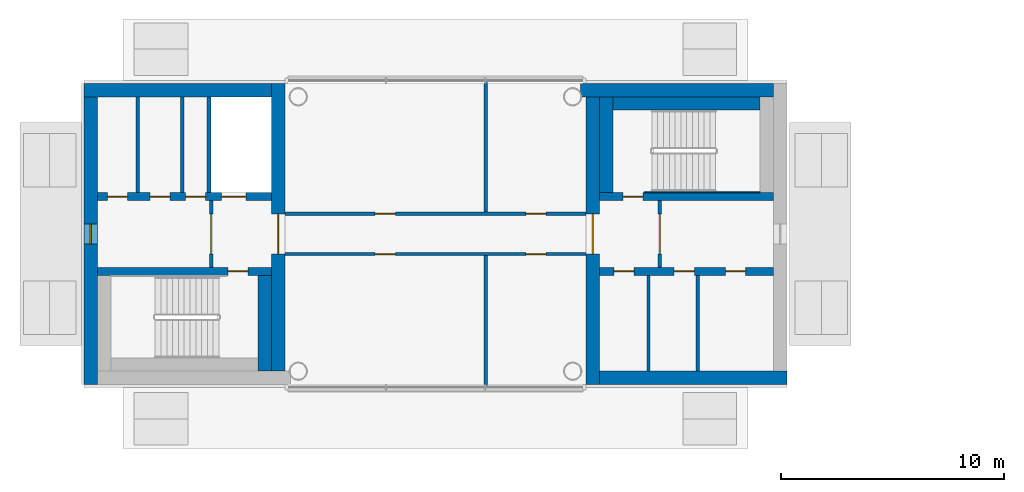
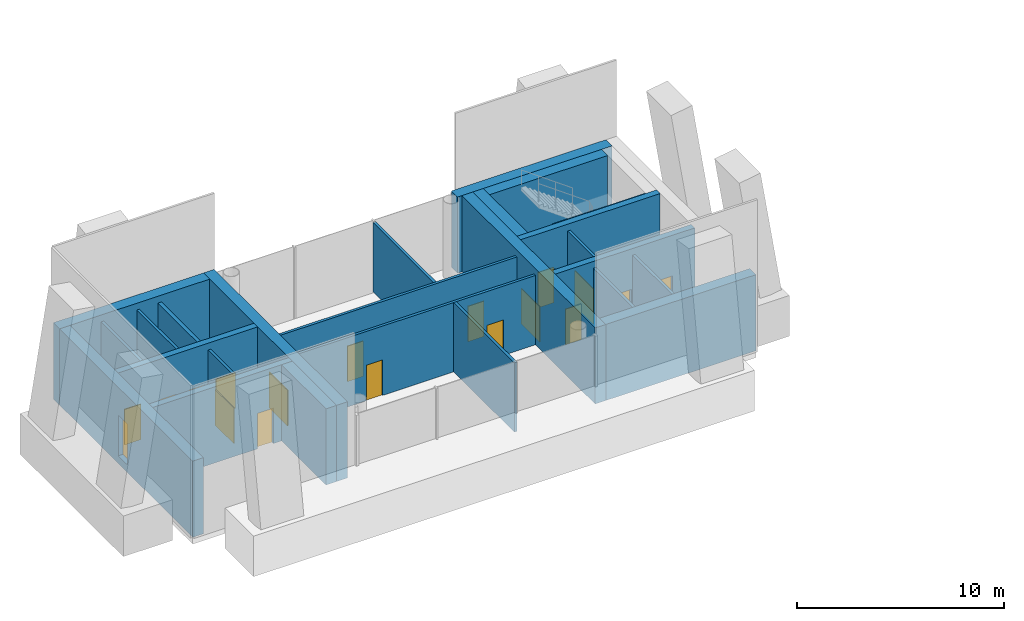
# One storey, part 5 of 12: 25 walls, 17 doors, 1 window, 18 openings.
"""IFC4 building model written with IfcOpenShell, lengths in metres."""

from ifc_helpers import new_model, si_unit, direction, frame, frame_2d, origin, place, context, subcontext, project, spatial, rectangle, extrude, material, layer, layer_set, type_object, element, fill, save


model = new_model("IFC4")

# Units and contexts
model_context = context("Model", 3, precision=1e-05, world=origin(), true_north=direction((0.0, 1.0)))
body_context = subcontext(model_context, "Body", "Model", "MODEL_VIEW")
ifc_project = project(units=[si_unit("LENGTHUNIT", "METRE"), si_unit("AREAUNIT", "SQUARE_METRE"), si_unit("VOLUMEUNIT", "CUBIC_METRE"), si_unit("PLANEANGLEUNIT", "RADIAN"), si_unit("MASSUNIT", "GRAM", prefix="KILO")], contexts=[model_context])

# Site, building, storey
site_placement = place(None, origin())
site = spatial("IfcSite", under=ifc_project, at=site_placement, CompositionType="ELEMENT")
building_placement = place(site_placement, origin())
building = spatial("IfcBuilding", under=site, at=building_placement, Name="Ipe Terrace Towers", CompositionType="ELEMENT")
storey_placement = place(building_placement, frame((0.0, 0.0, 255.89990234375)))
storey = spatial("IfcBuildingStorey", under=building, at=storey_placement, Name="L70", CompositionType="ELEMENT", Elevation=255.89990234375)

# Wall, opening, door
ifc_material_1 = material(Name="Gypsum board partition", Category="plasterboard")
ifc_layer_1 = layer(ifc_material_1, 0.14990234375)
ifc_layer_set_1 = layer_set([ifc_layer_1], Name="Gypsum board partition 150 mm")
wall_type_1 = type_object("IfcWallType", Name="Gypsum board partition 150 mm", PredefinedType="PARTITIONING", material=ifc_layer_set_1)
wall_1_placement = place(storey_placement, frame((-25.949951171875, -1.5, 0.0), z_axis=(0.0, 0.0, 1.0), x_axis=(0.0, 1.0, 0.0)))
wall_1 = element("IfcWall", 1, at=wall_1_placement, inside=storey, type_object=wall_type_1, Name="Gypsum board partition T1 L70 t1c1-lobby-wall", PredefinedType="PARTITIONING", context=body_context, shape_type="SweptSolid", body=[
    extrude(rectangle(XDim=3.0, YDim=0.14990234375, at=frame_2d((1.5, 0.0))), origin(), (0.0, 0.0, 1.0), 4.10009765625),
])
opening_1_placement = place(wall_1_placement, frame((0.60009765625, 0.0, 0.0)))
opening_1 = element("IfcOpeningElement", 2, at=opening_1_placement, cuts=wall_1, Name="Opening T1C1-VD", PredefinedType="OPENING", context=body_context, shape_type="SweptSolid", body=[
    extrude(rectangle(XDim=1.800048828125, YDim=2.10009765625, at=frame_2d((0.89990234375, 1.050048828125))), frame((0.0, 0.0849609375, 0.0), z_axis=(0.0, -1.0, 0.0), x_axis=(1.0, 0.0, 0.0)), (0.0, 0.0, 1.0), 0.169921875),
])
ifc_material_2 = material(Name="Fire-rated timber door leaf", Category="wood")
door_type_1 = type_object("IfcDoorType", Name="Lobby door 1800 x 2100 FD60", OperationType="NOTDEFINED", PredefinedType="DOOR", material=ifc_material_2)
door_1_placement = place(opening_1_placement, origin())
door_1 = element("IfcDoor", 3, at=door_1_placement, inside=storey, type_object=door_type_1, Name="Lobby door T1C1-VD", OperationType="SINGLE_SWING_LEFT", OverallHeight=2.10009765625, OverallWidth=1.800048828125, PredefinedType="DOOR", context=body_context, shape_type="SweptSolid", body=[
    extrude(rectangle(XDim=1.800048828125, YDim=2.10009765625, at=frame_2d((0.89990234375, 1.050048828125))), frame((0.0, 0.02490234375, 0.0), z_axis=(0.0, -1.0, 0.0), x_axis=(1.0, 0.0, 0.0)), (0.0, 0.0, 1.0), 0.050048828125),
])
fill(opening_1, door_1)

# Walls
for number, where, z_axis, x_axis, name in (
    (4, (-26.449951171875, -6.14990234375, 0.0), (0.0, 0.0, 1.0), (0.0, 1.0, 0.0), "Gypsum board partition T1 L70 t1c1-p2-div"),
    (5, (-24.25, -6.14990234375, 0.0), (0.0, 0.0, 1.0), (0.0, 1.0, 0.0), "Gypsum board partition T1 L70 t1c1-p3-div"),
):
    element("IfcWall", number, at=place(storey_placement, frame(where, z_axis=z_axis, x_axis=x_axis)), inside=storey, type_object=wall_type_1, Name=name, PredefinedType="PARTITIONING", context=body_context, shape_type="SweptSolid", body=[
        extrude(rectangle(XDim=4.2998046875, YDim=0.14990234375, at=frame_2d((2.14990234375, 0.0))), origin(), (0.0, 0.0, 1.0), 4.10009765625),
    ])

# Wall, opening, door
wall_2_placement = place(storey_placement, frame((-46.050048828125, 1.5, 0.0), z_axis=(0.0, 0.0, 1.0), x_axis=(0.0, -1.0, 0.0)))
wall_2 = element("IfcWall", 6, at=wall_2_placement, inside=storey, type_object=wall_type_1, Name="Gypsum board partition T1 L70 t1c2-lobby-wall", PredefinedType="PARTITIONING", context=body_context, shape_type="SweptSolid", body=[
    extrude(rectangle(XDim=3.0, YDim=0.14990234375, at=frame_2d((1.5, 0.0))), origin(), (0.0, 0.0, 1.0), 4.10009765625),
])
opening_2_placement = place(wall_2_placement, frame((0.60009765625, 0.0, 0.0)))
opening_2 = element("IfcOpeningElement", 7, at=opening_2_placement, cuts=wall_2, Name="Opening T1C2-VD", PredefinedType="OPENING", context=body_context, shape_type="SweptSolid", body=[
    extrude(rectangle(XDim=1.800048828125, YDim=2.10009765625, at=frame_2d((0.89990234375, 1.050048828125))), frame((0.0, 0.0849609375, 0.0), z_axis=(0.0, -1.0, 0.0), x_axis=(1.0, 0.0, 0.0)), (0.0, 0.0, 1.0), 0.169921875),
])
door_2_placement = place(opening_2_placement, origin())
door_2 = element("IfcDoor", 8, at=door_2_placement, inside=storey, type_object=door_type_1, Name="Lobby door T1C2-VD", OperationType="SINGLE_SWING_LEFT", OverallHeight=2.10009765625, OverallWidth=1.800048828125, PredefinedType="DOOR", context=body_context, shape_type="SweptSolid", body=[
    extrude(rectangle(XDim=1.800048828125, YDim=2.10009765625, at=frame_2d((0.89990234375, 1.050048828125))), frame((0.0, 0.02490234375, 0.0), z_axis=(0.0, -1.0, 0.0), x_axis=(1.0, 0.0, 0.0)), (0.0, 0.0, 1.0), 0.050048828125),
])
fill(opening_2, door_2)

# Walls
for number, where, z_axis, x_axis, name in (
    (9, (-47.35009765625, 6.14990234375, 0.0), (0.0, 0.0, 1.0), (0.0, -1.0, 0.0), "Gypsum board partition T1 L70 t1c2-q2-div"),
    (10, (-49.35009765625, 6.14990234375, 0.0), (0.0, 0.0, 1.0), (0.0, -1.0, 0.0), "Gypsum board partition T1 L70 t1c2-q3-div"),
):
    element("IfcWall", number, at=place(storey_placement, frame(where, z_axis=z_axis, x_axis=x_axis)), inside=storey, type_object=wall_type_1, Name=name, PredefinedType="PARTITIONING", context=body_context, shape_type="SweptSolid", body=[
        extrude(rectangle(XDim=4.2998046875, YDim=0.14990234375, at=frame_2d((2.14990234375, 0.0))), origin(), (0.0, 0.0, 1.0), 4.10009765625),
    ])

# Wall, openings, doors
wall_3_placement = place(storey_placement, frame((-42.75, 0.89990234375, 0.0), z_axis=(0.0, 0.0, 1.0), x_axis=(1.0, 0.0, 0.0)))
wall_3 = element("IfcWall", 11, at=wall_3_placement, inside=storey, type_object=wall_type_1, Name="Gypsum board partition T1 L70 sp-hub-wp", PredefinedType="PARTITIONING", context=body_context, shape_type="SweptSolid", body=[
    extrude(rectangle(XDim=13.5, YDim=0.14990234375, at=frame_2d((6.75, 0.0))), origin(), (0.0, 0.0, 1.0), 4.10009765625),
])
opening_3_placement = place(wall_3_placement, frame((4.050048828125, 0.0, 0.0)))
opening_3 = element("IfcOpeningElement", 12, at=opening_3_placement, cuts=wall_3, Name="Opening T1-SP-HP1", PredefinedType="OPENING", context=body_context, shape_type="SweptSolid", body=[
    extrude(rectangle(XDim=0.89990234375, YDim=2.10009765625, at=frame_2d((0.449951171875, 1.050048828125))), frame((0.0, 0.0849609375, 0.0), z_axis=(0.0, -1.0, 0.0), x_axis=(1.0, 0.0, 0.0)), (0.0, 0.0, 1.0), 0.169921875),
])
opening_4_placement = place(wall_3_placement, frame((10.800048828125, 0.0, 0.0)))
opening_4 = element("IfcOpeningElement", 13, at=opening_4_placement, cuts=wall_3, Name="Opening T1-SP-HP2", PredefinedType="OPENING", context=body_context, shape_type="SweptSolid", body=[
    extrude(rectangle(XDim=0.89990234375, YDim=2.10009765625, at=frame_2d((0.449951171875, 1.050048828125))), frame((0.0, 0.0849609375, 0.0), z_axis=(0.0, -1.0, 0.0), x_axis=(1.0, 0.0, 0.0)), (0.0, 0.0, 1.0), 0.169921875),
])
ifc_material_3 = material(Name="Fire-rated timber door leaf", Category="wood")
door_type_2 = type_object("IfcDoorType", Name="Service door 900 x 2100 FD60", OperationType="NOTDEFINED", PredefinedType="DOOR", material=ifc_material_3)
door_3_placement = place(opening_3_placement, origin())
door_3 = element("IfcDoor", 14, at=door_3_placement, inside=storey, type_object=door_type_2, Name="Service door T1-SP-HP1", OperationType="SINGLE_SWING_RIGHT", OverallHeight=2.10009765625, OverallWidth=0.89990234375, PredefinedType="DOOR", context=body_context, shape_type="SweptSolid", body=[
    extrude(rectangle(XDim=0.89990234375, YDim=2.10009765625, at=frame_2d((0.449951171875, 1.050048828125))), frame((0.0, 0.02490234375, 0.0), z_axis=(0.0, -1.0, 0.0), x_axis=(1.0, 0.0, 0.0)), (0.0, 0.0, 1.0), 0.050048828125),
])
fill(opening_3, door_3)
door_4_placement = place(opening_4_placement, origin())
door_4 = element("IfcDoor", 15, at=door_4_placement, inside=storey, type_object=door_type_2, Name="Service door T1-SP-HP2", OperationType="SINGLE_SWING_LEFT", OverallHeight=2.10009765625, OverallWidth=0.89990234375, PredefinedType="DOOR", context=body_context, shape_type="SweptSolid", body=[
    extrude(rectangle(XDim=0.89990234375, YDim=2.10009765625, at=frame_2d((0.449951171875, 1.050048828125))), frame((0.0, 0.02490234375, 0.0), z_axis=(0.0, -1.0, 0.0), x_axis=(1.0, 0.0, 0.0)), (0.0, 0.0, 1.0), 0.050048828125),
])
fill(opening_4, door_4)

# Wall
wall_4_placement = place(storey_placement, frame((-33.75, 0.97509765625, 0.0), z_axis=(0.0, 0.0, 1.0), x_axis=(0.0, 1.0, 0.0)))
element("IfcWall", 16, at=wall_4_placement, inside=storey, type_object=wall_type_1, Name="Gypsum board partition T1 L70 sp-hub-dp", PredefinedType="PARTITIONING", context=body_context, shape_type="SweptSolid", body=[
    extrude(rectangle(XDim=5.875, YDim=0.14990234375, at=frame_2d((2.9375, 0.0))), origin(), (0.0, 0.0, 1.0), 4.10009765625),
])

# Wall, openings, doors
wall_5_placement = place(storey_placement, frame((-42.75, -0.89990234375, 0.0), z_axis=(0.0, 0.0, 1.0), x_axis=(1.0, 0.0, 0.0)))
wall_5 = element("IfcWall", 17, at=wall_5_placement, inside=storey, type_object=wall_type_1, Name="Gypsum board partition T1 L70 sp-hub-wm", PredefinedType="PARTITIONING", context=body_context, shape_type="SweptSolid", body=[
    extrude(rectangle(XDim=13.5, YDim=0.14990234375, at=frame_2d((6.75, 0.0))), origin(), (0.0, 0.0, 1.0), 4.10009765625),
])
opening_5_placement = place(wall_5_placement, frame((4.050048828125, 0.0, 0.0)))
opening_5 = element("IfcOpeningElement", 18, at=opening_5_placement, cuts=wall_5, Name="Opening T1-SP-HM1", PredefinedType="OPENING", context=body_context, shape_type="SweptSolid", body=[
    extrude(rectangle(XDim=0.89990234375, YDim=2.10009765625, at=frame_2d((0.449951171875, 1.050048828125))), frame((0.0, 0.0849609375, 0.0), z_axis=(0.0, -1.0, 0.0), x_axis=(1.0, 0.0, 0.0)), (0.0, 0.0, 1.0), 0.169921875),
])
opening_6_placement = place(wall_5_placement, frame((10.800048828125, 0.0, 0.0)))
opening_6 = element("IfcOpeningElement", 19, at=opening_6_placement, cuts=wall_5, Name="Opening T1-SP-HM2", PredefinedType="OPENING", context=body_context, shape_type="SweptSolid", body=[
    extrude(rectangle(XDim=0.89990234375, YDim=2.10009765625, at=frame_2d((0.449951171875, 1.050048828125))), frame((0.0, 0.0849609375, 0.0), z_axis=(0.0, -1.0, 0.0), x_axis=(1.0, 0.0, 0.0)), (0.0, 0.0, 1.0), 0.169921875),
])
door_5_placement = place(opening_5_placement, origin())
door_5 = element("IfcDoor", 20, at=door_5_placement, inside=storey, type_object=door_type_2, Name="Service door T1-SP-HM1", OperationType="SINGLE_SWING_LEFT", OverallHeight=2.10009765625, OverallWidth=0.89990234375, PredefinedType="DOOR", context=body_context, shape_type="SweptSolid", body=[
    extrude(rectangle(XDim=0.89990234375, YDim=2.10009765625, at=frame_2d((0.449951171875, 1.050048828125))), frame((0.0, 0.02490234375, 0.0), z_axis=(0.0, -1.0, 0.0), x_axis=(1.0, 0.0, 0.0)), (0.0, 0.0, 1.0), 0.050048828125),
])
fill(opening_5, door_5)
door_6_placement = place(opening_6_placement, origin())
door_6 = element("IfcDoor", 21, at=door_6_placement, inside=storey, type_object=door_type_2, Name="Service door T1-SP-HM2", OperationType="SINGLE_SWING_RIGHT", OverallHeight=2.10009765625, OverallWidth=0.89990234375, PredefinedType="DOOR", context=body_context, shape_type="SweptSolid", body=[
    extrude(rectangle(XDim=0.89990234375, YDim=2.10009765625, at=frame_2d((0.449951171875, 1.050048828125))), frame((0.0, 0.02490234375, 0.0), z_axis=(0.0, -1.0, 0.0), x_axis=(1.0, 0.0, 0.0)), (0.0, 0.0, 1.0), 0.050048828125),
])
fill(opening_6, door_6)

# Walls
wall_6_placement = place(storey_placement, frame((-33.75, -0.97509765625, 0.0), z_axis=(0.0, 0.0, 1.0), x_axis=(0.0, -1.0, 0.0)))
element("IfcWall", 22, at=wall_6_placement, inside=storey, type_object=wall_type_1, Name="Gypsum board partition T1 L70 sp-hub-dm", PredefinedType="PARTITIONING", context=body_context, shape_type="SweptSolid", body=[
    extrude(rectangle(XDim=5.875, YDim=0.14990234375, at=frame_2d((2.9375, 0.0))), origin(), (0.0, 0.0, 1.0), 4.10009765625),
])
ifc_material_4 = material(Name="Gypsum board party wall", Category="plasterboard")
ifc_layer_2 = layer(ifc_material_4, 0.199951171875)
ifc_layer_set_2 = layer_set([ifc_layer_2], Name="Gypsum board party wall 200 mm")
wall_type_2 = type_object("IfcWallType", Name="Gypsum board party wall 200 mm", PredefinedType="SOLIDWALL", material=ifc_layer_set_2)
wall_7_placement = place(storey_placement, frame((-46.14990234375, 6.14990234375, 0.0), z_axis=(0.0, 0.0, 1.0), x_axis=(0.0, -1.0, 0.0)))
element("IfcWall", 23, at=wall_7_placement, inside=storey, type_object=wall_type_2, Name="Gypsum board party wall T1 L70 t1c2-shaft-div1", PredefinedType="SOLIDWALL", context=body_context, shape_type="SweptSolid", body=[
    extrude(rectangle(XDim=4.2998046875, YDim=0.199951171875, at=frame_2d((2.14990234375, 0.0))), origin(), (0.0, 0.0, 1.0), 4.10009765625),
])

# Wall, openings, doors
ifc_material_5 = material(Name="Concrete C40/50", Category="concrete")
ifc_layer_3 = layer(ifc_material_5, 0.35009765625)
ifc_layer_set_3 = layer_set([ifc_layer_3], Name="RW350 CORE SPINE WALL 350 C40-50")
wall_type_3 = type_object("IfcWallType", Name="RW350 CORE SPINE WALL 350 C40-50", PredefinedType="SHEAR", material=ifc_layer_set_3)
wall_8_placement = place(storey_placement, frame((-28.64990234375, -1.675048828125, 0.0), z_axis=(0.0, 0.0, 1.0), x_axis=(1.0, 0.0, 0.0)))
wall_8 = element("IfcWall", 24, at=wall_8_placement, inside=storey, type_object=wall_type_3, Name="Core spine wall T1-C1-Z4-SW1", PredefinedType="SHEAR", context=body_context, shape_type="SweptSolid", body=[
    extrude(rectangle(XDim=7.7998046875, YDim=0.35009765625, at=frame_2d((3.89990234375, 0.0))), origin(), (0.0, 0.0, 1.0), 4.5),
])
opening_7_placement = place(wall_8_placement, frame((0.64990234375, 0.0, 0.0)))
opening_7 = element("IfcOpeningElement", 25, at=opening_7_placement, cuts=wall_8, Name="Opening T1C1-R1", PredefinedType="OPENING", context=body_context, shape_type="SweptSolid", body=[
    extrude(rectangle(XDim=0.89990234375, YDim=2.10009765625, at=frame_2d((0.449951171875, 1.050048828125))), frame((0.0, 0.18505859375, 0.0), z_axis=(0.0, -1.0, 0.0), x_axis=(1.0, 0.0, 0.0)), (0.0, 0.0, 1.0), 0.3701171875),
])
opening_8_placement = place(wall_8_placement, frame((3.35009765625, 0.0, 0.0)))
opening_8 = element("IfcOpeningElement", 26, at=opening_8_placement, cuts=wall_8, Name="Opening T1C1-R2", PredefinedType="OPENING", context=body_context, shape_type="SweptSolid", body=[
    extrude(rectangle(XDim=0.89990234375, YDim=2.10009765625, at=frame_2d((0.449951171875, 1.050048828125))), frame((0.0, 0.18505859375, 0.0), z_axis=(0.0, -1.0, 0.0), x_axis=(1.0, 0.0, 0.0)), (0.0, 0.0, 1.0), 0.3701171875),
])
opening_9_placement = place(wall_8_placement, frame((5.64990234375, 0.0, 0.0)))
opening_9 = element("IfcOpeningElement", 27, at=opening_9_placement, cuts=wall_8, Name="Opening T1C1-R3", PredefinedType="OPENING", context=body_context, shape_type="SweptSolid", body=[
    extrude(rectangle(XDim=0.89990234375, YDim=2.10009765625, at=frame_2d((0.449951171875, 1.050048828125))), frame((0.0, 0.18505859375, 0.0), z_axis=(0.0, -1.0, 0.0), x_axis=(1.0, 0.0, 0.0)), (0.0, 0.0, 1.0), 0.3701171875),
])
door_7_placement = place(opening_7_placement, origin())
door_7 = element("IfcDoor", 28, at=door_7_placement, inside=storey, type_object=door_type_2, Name="Service door T1C1-R1", OperationType="SINGLE_SWING_RIGHT", OverallHeight=2.10009765625, OverallWidth=0.89990234375, PredefinedType="DOOR", context=body_context, shape_type="SweptSolid", body=[
    extrude(rectangle(XDim=0.89990234375, YDim=2.10009765625, at=frame_2d((0.449951171875, 1.050048828125))), frame((0.0, 0.02490234375, 0.0), z_axis=(0.0, -1.0, 0.0), x_axis=(1.0, 0.0, 0.0)), (0.0, 0.0, 1.0), 0.050048828125),
])
fill(opening_7, door_7)
door_8_placement = place(opening_8_placement, origin())
door_8 = element("IfcDoor", 29, at=door_8_placement, inside=storey, type_object=door_type_2, Name="Service door T1C1-R2", OperationType="SINGLE_SWING_LEFT", OverallHeight=2.10009765625, OverallWidth=0.89990234375, PredefinedType="DOOR", context=body_context, shape_type="SweptSolid", body=[
    extrude(rectangle(XDim=0.89990234375, YDim=2.10009765625, at=frame_2d((0.449951171875, 1.050048828125))), frame((0.0, 0.02490234375, 0.0), z_axis=(0.0, -1.0, 0.0), x_axis=(1.0, 0.0, 0.0)), (0.0, 0.0, 1.0), 0.050048828125),
])
fill(opening_8, door_8)
door_9_placement = place(opening_9_placement, origin())
door_9 = element("IfcDoor", 30, at=door_9_placement, inside=storey, type_object=door_type_2, Name="Service door T1C1-R3", OperationType="SINGLE_SWING_RIGHT", OverallHeight=2.10009765625, OverallWidth=0.89990234375, PredefinedType="DOOR", context=body_context, shape_type="SweptSolid", body=[
    extrude(rectangle(XDim=0.89990234375, YDim=2.10009765625, at=frame_2d((0.449951171875, 1.050048828125))), frame((0.0, 0.02490234375, 0.0), z_axis=(0.0, -1.0, 0.0), x_axis=(1.0, 0.0, 0.0)), (0.0, 0.0, 1.0), 0.050048828125),
])
fill(opening_9, door_9)

# Wall, opening, door
wall_9_placement = place(storey_placement, frame((-28.64990234375, 1.675048828125, 0.0), z_axis=(0.0, 0.0, 1.0), x_axis=(1.0, 0.0, 0.0)))
wall_9 = element("IfcWall", 31, at=wall_9_placement, inside=storey, type_object=wall_type_3, Name="Core spine wall T1-C1-Z4-SW2", PredefinedType="SHEAR", context=body_context, shape_type="SweptSolid", body=[
    extrude(rectangle(XDim=7.7998046875, YDim=0.35009765625, at=frame_2d((3.89990234375, 0.0))), origin(), (0.0, 0.0, 1.0), 4.5),
])
opening_10_placement = place(wall_9_placement, frame((1.050048828125, 0.0, 0.0)))
opening_10 = element("IfcOpeningElement", 32, at=opening_10_placement, cuts=wall_9, Name="Opening T1C1-SD", PredefinedType="OPENING", context=body_context, shape_type="SweptSolid", body=[
    extrude(rectangle(XDim=0.89990234375, YDim=2.10009765625, at=frame_2d((0.449951171875, 1.050048828125))), frame((0.0, 0.18505859375, 0.0), z_axis=(0.0, -1.0, 0.0), x_axis=(1.0, 0.0, 0.0)), (0.0, 0.0, 1.0), 0.3701171875),
])
ifc_material_6 = material(Name="Fire-rated timber door leaf", Category="wood")
door_type_3 = type_object("IfcDoorType", Name="Stair door 900 x 2100 FD60", OperationType="NOTDEFINED", PredefinedType="DOOR", material=ifc_material_6)
door_10_placement = place(opening_10_placement, origin())
door_10 = element("IfcDoor", 33, at=door_10_placement, inside=storey, type_object=door_type_3, Name="Stair door T1C1-SD", OperationType="SINGLE_SWING_LEFT", OverallHeight=2.10009765625, OverallWidth=0.89990234375, PredefinedType="DOOR", context=body_context, shape_type="SweptSolid", body=[
    extrude(rectangle(XDim=0.89990234375, YDim=2.10009765625, at=frame_2d((0.449951171875, 1.050048828125))), frame((0.0, 0.02490234375, 0.0), z_axis=(0.0, -1.0, 0.0), x_axis=(1.0, 0.0, 0.0)), (0.0, 0.0, 1.0), 0.050048828125),
])
fill(opening_10, door_10)

wall_10_placement = place(storey_placement, frame((-51.14990234375, -1.675048828125, 0.0), z_axis=(0.0, 0.0, 1.0), x_axis=(1.0, 0.0, 0.0)))
wall_10 = element("IfcWall", 34, at=wall_10_placement, inside=storey, type_object=wall_type_3, Name="Core spine wall T1-C2-Z4-SW1", PredefinedType="SHEAR", context=body_context, shape_type="SweptSolid", body=[
    extrude(rectangle(XDim=7.7998046875, YDim=0.35009765625, at=frame_2d((3.89990234375, 0.0))), origin(), (0.0, 0.0, 1.0), 4.5),
])
opening_11_placement = place(wall_10_placement, frame((5.85009765625, 0.0, 0.0)))
opening_11 = element("IfcOpeningElement", 35, at=opening_11_placement, cuts=wall_10, Name="Opening T1C2-SD", PredefinedType="OPENING", context=body_context, shape_type="SweptSolid", body=[
    extrude(rectangle(XDim=0.89990234375, YDim=2.10009765625, at=frame_2d((0.449951171875, 1.050048828125))), frame((0.0, 0.18505859375, 0.0), z_axis=(0.0, -1.0, 0.0), x_axis=(1.0, 0.0, 0.0)), (0.0, 0.0, 1.0), 0.3701171875),
])
door_11_placement = place(opening_11_placement, origin())
door_11 = element("IfcDoor", 36, at=door_11_placement, inside=storey, type_object=door_type_3, Name="Stair door T1C2-SD", OperationType="SINGLE_SWING_RIGHT", OverallHeight=2.10009765625, OverallWidth=0.89990234375, PredefinedType="DOOR", context=body_context, shape_type="SweptSolid", body=[
    extrude(rectangle(XDim=0.89990234375, YDim=2.10009765625, at=frame_2d((0.449951171875, 1.050048828125))), frame((0.0, 0.02490234375, 0.0), z_axis=(0.0, -1.0, 0.0), x_axis=(1.0, 0.0, 0.0)), (0.0, 0.0, 1.0), 0.050048828125),
])
fill(opening_11, door_11)

# Wall, openings, doors
wall_11_placement = place(storey_placement, frame((-51.14990234375, 1.675048828125, 0.0), z_axis=(0.0, 0.0, 1.0), x_axis=(1.0, 0.0, 0.0)))
wall_11 = element("IfcWall", 37, at=wall_11_placement, inside=storey, type_object=wall_type_3, Name="Core spine wall T1-C2-Z4-SW2", PredefinedType="SHEAR", context=body_context, shape_type="SweptSolid", body=[
    extrude(rectangle(XDim=7.7998046875, YDim=0.35009765625, at=frame_2d((3.89990234375, 0.0))), origin(), (0.0, 0.0, 1.0), 4.5),
])
opening_12_placement = place(wall_11_placement, frame((5.550048828125, 0.0, 0.0)))
opening_12 = element("IfcOpeningElement", 38, at=opening_12_placement, cuts=wall_11, Name="Opening T1C2-LD1", PredefinedType="OPENING", context=body_context, shape_type="SweptSolid", body=[
    extrude(rectangle(XDim=1.10009765625, YDim=2.10009765625, at=frame_2d((0.550048828125, 1.050048828125))), frame((0.0, 0.18505859375, 0.0), z_axis=(0.0, -1.0, 0.0), x_axis=(1.0, 0.0, 0.0)), (0.0, 0.0, 1.0), 0.3701171875),
])
opening_13_placement = place(wall_11_placement, frame((3.949951171875, 0.0, 0.0)))
opening_13 = element("IfcOpeningElement", 39, at=opening_13_placement, cuts=wall_11, Name="Opening T1C2-R1-NR", PredefinedType="OPENING", context=body_context, shape_type="SweptSolid", body=[
    extrude(rectangle(XDim=0.89990234375, YDim=2.10009765625, at=frame_2d((0.449951171875, 1.050048828125))), frame((0.0, 0.18505859375, 0.0), z_axis=(0.0, -1.0, 0.0), x_axis=(1.0, 0.0, 0.0)), (0.0, 0.0, 1.0), 0.3701171875),
])
opening_14_placement = place(wall_11_placement, frame((2.35009765625, 0.0, 0.0)))
opening_14 = element("IfcOpeningElement", 40, at=opening_14_placement, cuts=wall_11, Name="Opening T1C2-R2", PredefinedType="OPENING", context=body_context, shape_type="SweptSolid", body=[
    extrude(rectangle(XDim=0.89990234375, YDim=2.10009765625, at=frame_2d((0.449951171875, 1.050048828125))), frame((0.0, 0.18505859375, 0.0), z_axis=(0.0, -1.0, 0.0), x_axis=(1.0, 0.0, 0.0)), (0.0, 0.0, 1.0), 0.3701171875),
])
opening_15_placement = place(wall_11_placement, frame((0.449951171875, 0.0, 0.0)))
opening_15 = element("IfcOpeningElement", 41, at=opening_15_placement, cuts=wall_11, Name="Opening T1C2-R3", PredefinedType="OPENING", context=body_context, shape_type="SweptSolid", body=[
    extrude(rectangle(XDim=0.89990234375, YDim=2.10009765625, at=frame_2d((0.449951171875, 1.050048828125))), frame((0.0, 0.18505859375, 0.0), z_axis=(0.0, -1.0, 0.0), x_axis=(1.0, 0.0, 0.0)), (0.0, 0.0, 1.0), 0.3701171875),
])
ifc_material_7 = material(Name="Fire-rated timber door leaf", Category="wood")
door_type_4 = type_object("IfcDoorType", Name="Service door 900 x 2100 FD30S", OperationType="NOTDEFINED", PredefinedType="DOOR", material=ifc_material_7)
door_12_placement = place(opening_14_placement, origin())
door_12 = element("IfcDoor", 42, at=door_12_placement, inside=storey, type_object=door_type_4, Name="Service door T1C2-R2", OperationType="SINGLE_SWING_RIGHT", OverallHeight=2.10009765625, OverallWidth=0.89990234375, PredefinedType="DOOR", context=body_context, shape_type="SweptSolid", body=[
    extrude(rectangle(XDim=0.89990234375, YDim=2.10009765625, at=frame_2d((0.449951171875, 1.050048828125))), frame((0.0, 0.02490234375, 0.0), z_axis=(0.0, -1.0, 0.0), x_axis=(1.0, 0.0, 0.0)), (0.0, 0.0, 1.0), 0.050048828125),
])
fill(opening_14, door_12)
ifc_material_8 = material(Name="Fire-rated timber door leaf", Category="wood")
door_type_5 = type_object("IfcDoorType", Name="Sliding door 1100 x 2100 FD60", OperationType="SLIDING_TO_LEFT", PredefinedType="DOOR", material=ifc_material_8)
door_13_placement = place(opening_12_placement, origin())
door_13 = element("IfcDoor", 43, at=door_13_placement, inside=storey, type_object=door_type_5, Name="Sliding door T1C2-LD1", OperationType="SLIDING_TO_LEFT", OverallHeight=2.10009765625, OverallWidth=1.10009765625, PredefinedType="DOOR", context=body_context, shape_type="SweptSolid", body=[
    extrude(rectangle(XDim=1.10009765625, YDim=2.10009765625, at=frame_2d((0.550048828125, 1.050048828125))), frame((0.0, 0.02490234375, 0.0), z_axis=(0.0, -1.0, 0.0), x_axis=(1.0, 0.0, 0.0)), (0.0, 0.0, 1.0), 0.050048828125),
])
fill(opening_12, door_13)
ifc_material_9 = material(Name="Timber door leaf", Category="wood")
door_type_6 = type_object("IfcDoorType", Name="Store door 900 x 2100", OperationType="NOTDEFINED", PredefinedType="DOOR", material=ifc_material_9)
door_14_placement = place(opening_13_placement, origin())
door_14 = element("IfcDoor", 44, at=door_14_placement, inside=storey, type_object=door_type_6, Name="Store door T1C2-R1-NR", OperationType="SINGLE_SWING_LEFT", OverallHeight=2.10009765625, OverallWidth=0.89990234375, PredefinedType="DOOR", context=body_context, shape_type="SweptSolid", body=[
    extrude(rectangle(XDim=0.89990234375, YDim=2.10009765625, at=frame_2d((0.449951171875, 1.050048828125))), frame((0.0, 0.02490234375, 0.0), z_axis=(0.0, -1.0, 0.0), x_axis=(1.0, 0.0, 0.0)), (0.0, 0.0, 1.0), 0.050048828125),
])
fill(opening_13, door_14)
door_15_placement = place(opening_15_placement, origin())
door_15 = element("IfcDoor", 45, at=door_15_placement, inside=storey, type_object=door_type_6, Name="Store door T1C2-R3", OperationType="SINGLE_SWING_LEFT", OverallHeight=2.10009765625, OverallWidth=0.89990234375, PredefinedType="DOOR", context=body_context, shape_type="SweptSolid", body=[
    extrude(rectangle(XDim=0.89990234375, YDim=2.10009765625, at=frame_2d((0.449951171875, 1.050048828125))), frame((0.0, 0.02490234375, 0.0), z_axis=(0.0, -1.0, 0.0), x_axis=(1.0, 0.0, 0.0)), (0.0, 0.0, 1.0), 0.050048828125),
])
fill(opening_15, door_15)

# Walls
ifc_material_10 = material(Name="Concrete C40/50", Category="concrete")
ifc_layer_4 = layer(ifc_material_10, 0.050048828125)
ifc_layer_set_4 = layer_set([ifc_layer_4], Name="RW50 CORE INFILL WALL 50 C40-50")
wall_type_4 = type_object("IfcWallType", Name="RW50 CORE INFILL WALL 50 C40-50", PredefinedType="SHEAR", material=ifc_layer_set_4)
wall_12_placement = place(storey_placement, frame((-26.64990234375, 1.875, 0.0), z_axis=(0.0, 0.0, 1.0), x_axis=(1.0, 0.0, 0.0)))
element("IfcWall", 46, at=wall_12_placement, inside=storey, type_object=wall_type_4, Name="Core infill wall T1-C1-spine-b", PredefinedType="SHEAR", context=body_context, shape_type="SweptSolid", body=[
    extrude(rectangle(XDim=5.199951171875, YDim=0.050048828125, at=frame_2d((2.60009765625, 0.0))), origin(), (0.0, 0.0, 1.0), 4.5),
])
ifc_material_11 = material(Name="Concrete C40/50", Category="concrete")
ifc_layer_5 = layer(ifc_material_11, 0.60009765625)
ifc_layer_set_5 = layer_set([ifc_layer_5], Name="RW600 CORE INFILL WALL 600 C40-50")
wall_type_5 = type_object("IfcWallType", Name="RW600 CORE INFILL WALL 600 C40-50", PredefinedType="SHEAR", material=ifc_layer_set_5)
wall_13_placement = place(storey_placement, frame((-28.050048828125, 5.85009765625, 0.0), z_axis=(0.0, 0.0, 1.0), x_axis=(1.0, 0.0, 0.0)))
element("IfcWall", 47, at=wall_13_placement, inside=storey, type_object=wall_type_5, Name="Core infill wall T1-C1-back", PredefinedType="SHEAR", context=body_context, shape_type="SweptSolid", body=[
    extrude(rectangle(XDim=6.60009765625, YDim=0.60009765625, at=frame_2d((3.300048828125, 0.0))), origin(), (0.0, 0.0, 1.0), 4.5),
])
for number, where, z_axis, x_axis, name in (
    (48, (-28.35009765625, 1.85009765625, 0.0), (0.0, 0.0, 1.0), (0.0, 1.0, 0.0), "Core infill wall T1-C1-near"),
    (49, (-43.64990234375, -1.85009765625, 0.0), (0.0, 0.0, 1.0), (0.0, -1.0, 0.0), "Core infill wall T1-C2-near"),
):
    element("IfcWall", number, at=place(storey_placement, frame(where, z_axis=z_axis, x_axis=x_axis)), inside=storey, type_object=wall_type_5, Name=name, PredefinedType="SHEAR", context=body_context, shape_type="SweptSolid", body=[
        extrude(rectangle(XDim=4.2998046875, YDim=0.60009765625, at=frame_2d((2.14990234375, 0.0))), origin(), (0.0, 0.0, 1.0), 4.5),
    ])
ifc_material_12 = material(Name="Concrete C40/50", Category="concrete")
ifc_layer_6 = layer(ifc_material_12, 0.60009765625)
ifc_layer_set_6 = layer_set([ifc_layer_6], Name="RW600 CORE WALL 600 C40-50")
wall_type_6 = type_object("IfcWallType", Name="RW600 CORE WALL 600 C40-50", PredefinedType="SHEAR", material=ifc_layer_set_6)
wall_14_placement = place(storey_placement, frame((-28.64990234375, -6.449951171875, 0.0), z_axis=(0.0, 0.0, 1.0), x_axis=(1.0, 0.0, 0.0)))
element("IfcWall", 50, at=wall_14_placement, inside=storey, type_object=wall_type_6, Name="Core wall T1-C1-Z4-W01", PredefinedType="SHEAR", context=body_context, shape_type="SweptSolid", body=[
    extrude(rectangle(XDim=8.39990234375, YDim=0.60009765625, at=frame_2d((4.199951171875, 0.0))), origin(), (0.0, 0.0, 1.0), 4.5),
])
wall_15_placement = place(storey_placement, frame((-20.85009765625, 6.449951171875, 0.0), z_axis=(0.0, 0.0, 1.0), x_axis=(-1.0, 0.0, 0.0)))
element("IfcWall", 51, at=wall_15_placement, inside=storey, type_object=wall_type_6, Name="Core wall T1-C1-Z4-W03", PredefinedType="SHEAR", context=body_context, shape_type="SweptSolid", body=[
    extrude(rectangle(XDim=8.64794921875, YDim=0.60009765625, at=frame_2d((4.323974609375, 0.0))), origin(), (0.0, 0.0, 1.0), 4.5),
])

# Wall, opening, door
wall_16_placement = place(storey_placement, frame((-28.949951171875, 6.14990234375, 0.0), z_axis=(0.0, 0.0, 1.0), x_axis=(0.0, -1.0, 0.0)))
wall_16 = element("IfcWall", 52, at=wall_16_placement, inside=storey, type_object=wall_type_6, Name="Core wall T1-C1-Z4-W04", PredefinedType="SHEAR", context=body_context, shape_type="SweptSolid", body=[
    extrude(rectangle(XDim=12.89990234375, YDim=0.60009765625, at=frame_2d((6.449951171875, 0.0))), origin(), (0.0, 0.0, 1.0), 4.5),
])
opening_16_placement = place(wall_16_placement, frame((5.25, 0.0, 0.0)))
opening_16 = element("IfcOpeningElement", 53, at=opening_16_placement, cuts=wall_16, Name="Opening T1C1-ND", PredefinedType="OPENING", context=body_context, shape_type="SweptSolid", body=[
    extrude(rectangle(XDim=1.800048828125, YDim=2.10009765625, at=frame_2d((0.89990234375, 1.050048828125))), frame((0.0, 0.31005859375, 0.0), z_axis=(0.0, -1.0, 0.0), x_axis=(1.0, 0.0, 0.0)), (0.0, 0.0, 1.0), 0.6201171875),
])
ifc_material_13 = material(Name="Fire-rated timber door leaf", Category="wood")
door_type_7 = type_object("IfcDoorType", Name="Fire door 1800 x 2100 FD30S", OperationType="NOTDEFINED", PredefinedType="DOOR", material=ifc_material_13)
door_16_placement = place(opening_16_placement, origin())
door_16 = element("IfcDoor", 54, at=door_16_placement, inside=storey, type_object=door_type_7, Name="Fire door T1C1-ND", OperationType="SINGLE_SWING_LEFT", OverallHeight=2.10009765625, OverallWidth=1.800048828125, PredefinedType="DOOR", context=body_context, shape_type="SweptSolid", body=[
    extrude(rectangle(XDim=1.800048828125, YDim=2.10009765625, at=frame_2d((0.89990234375, 1.050048828125))), frame((0.0, 0.02490234375, 0.0), z_axis=(0.0, -1.0, 0.0), x_axis=(1.0, 0.0, 0.0)), (0.0, 0.0, 1.0), 0.050048828125),
])
fill(opening_16, door_16)

wall_17_placement = place(storey_placement, frame((-43.050048828125, -6.14990234375, 0.0), z_axis=(0.0, 0.0, 1.0), x_axis=(0.0, 1.0, 0.0)))
wall_17 = element("IfcWall", 55, at=wall_17_placement, inside=storey, type_object=wall_type_6, Name="Core wall T1-C2-Z4-W02", PredefinedType="SHEAR", context=body_context, shape_type="SweptSolid", body=[
    extrude(rectangle(XDim=12.89990234375, YDim=0.60009765625, at=frame_2d((6.449951171875, 0.0))), origin(), (0.0, 0.0, 1.0), 4.5),
])
opening_17_placement = place(wall_17_placement, frame((5.25, 0.0, 0.0)))
opening_17 = element("IfcOpeningElement", 56, at=opening_17_placement, cuts=wall_17, Name="Opening T1C2-ND", PredefinedType="OPENING", context=body_context, shape_type="SweptSolid", body=[
    extrude(rectangle(XDim=1.800048828125, YDim=2.10009765625, at=frame_2d((0.89990234375, 1.050048828125))), frame((0.0, 0.31005859375, 0.0), z_axis=(0.0, -1.0, 0.0), x_axis=(1.0, 0.0, 0.0)), (0.0, 0.0, 1.0), 0.6201171875),
])
door_17_placement = place(opening_17_placement, origin())
door_17 = element("IfcDoor", 57, at=door_17_placement, inside=storey, type_object=door_type_7, Name="Fire door T1C2-ND", OperationType="SINGLE_SWING_LEFT", OverallHeight=2.10009765625, OverallWidth=1.800048828125, PredefinedType="DOOR", context=body_context, shape_type="SweptSolid", body=[
    extrude(rectangle(XDim=1.800048828125, YDim=2.10009765625, at=frame_2d((0.89990234375, 1.050048828125))), frame((0.0, 0.02490234375, 0.0), z_axis=(0.0, -1.0, 0.0), x_axis=(1.0, 0.0, 0.0)), (0.0, 0.0, 1.0), 0.050048828125),
])
fill(opening_17, door_17)

# Wall
wall_18_placement = place(storey_placement, frame((-43.35009765625, 6.449951171875, 0.0), z_axis=(0.0, 0.0, 1.0), x_axis=(-1.0, 0.0, 0.0)))
element("IfcWall", 58, at=wall_18_placement, inside=storey, type_object=wall_type_6, Name="Core wall T1-C2-Z4-W03", PredefinedType="SHEAR", context=body_context, shape_type="SweptSolid", body=[
    extrude(rectangle(XDim=8.39990234375, YDim=0.60009765625, at=frame_2d((4.199951171875, 0.0))), origin(), (0.0, 0.0, 1.0), 4.5),
])

# Wall, opening, window
wall_19_placement = place(storey_placement, frame((-51.449951171875, 6.14990234375, 0.0), z_axis=(0.0, 0.0, 1.0), x_axis=(0.0, -1.0, 0.0)))
wall_19 = element("IfcWall", 59, at=wall_19_placement, inside=storey, type_object=wall_type_6, Name="Core wall T1-C2-Z4-W04", PredefinedType="SHEAR", context=body_context, shape_type="SweptSolid", body=[
    extrude(rectangle(XDim=12.89990234375, YDim=0.60009765625, at=frame_2d((6.449951171875, 0.0))), origin(), (0.0, 0.0, 1.0), 4.5),
])
opening_18_placement = place(wall_19_placement, frame((5.699951171875, 0.0, 0.449951171875)))
opening_18 = element("IfcOpeningElement", 60, at=opening_18_placement, cuts=wall_19, Name="Opening T1-C2-W-01-L70", PredefinedType="OPENING", context=body_context, shape_type="SweptSolid", body=[
    extrude(rectangle(XDim=0.89990234375, YDim=2.39990234375, at=frame_2d((0.449951171875, 1.199951171875))), frame((0.0, 0.31005859375, 0.0), z_axis=(0.0, -1.0, 0.0), x_axis=(1.0, 0.0, 0.0)), (0.0, 0.0, 1.0), 0.6201171875),
])
ifc_material_14 = material(Name="Fire-resistant glazing EI 60", Category="glass")
window_type = type_object("IfcWindowType", Name="CORRIDOR END SLOT WINDOW 900 x 2400 EI 60", PartitioningType="SINGLE_PANEL", PredefinedType="WINDOW", material=ifc_material_14)
window_placement = place(opening_18_placement, origin())
window = element("IfcWindow", 61, at=window_placement, inside=storey, type_object=window_type, Name="W-01 window", OverallHeight=2.39990234375, OverallWidth=0.89990234375, PartitioningType="SINGLE_PANEL", PredefinedType="WINDOW", context=body_context, shape_type="SweptSolid", body=[
    extrude(rectangle(XDim=0.89990234375, YDim=2.39990234375, at=frame_2d((0.449951171875, 1.199951171875))), frame((0.0, 0.030029296875, 0.0), z_axis=(0.0, -1.0, 0.0), x_axis=(1.0, 0.0, 0.0)), (0.0, 0.0, 1.0), 0.06005859375),
])
fill(opening_18, window)

save(model, "model.ifc")
